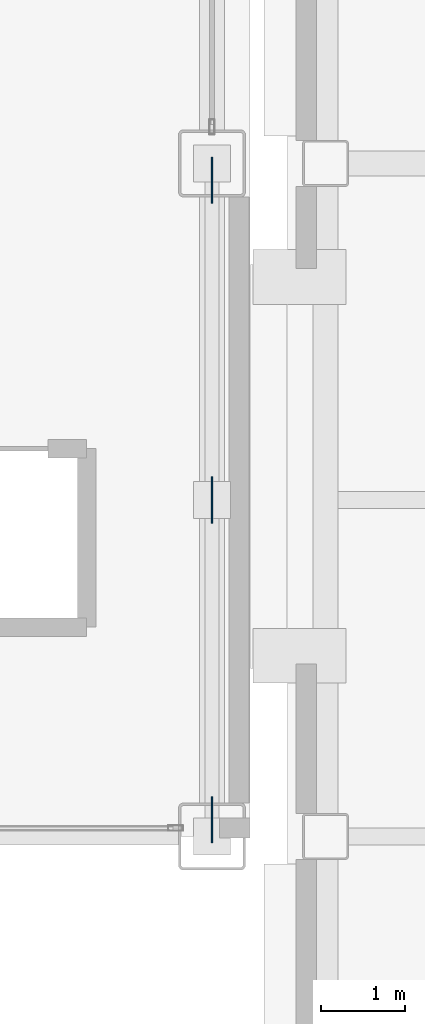
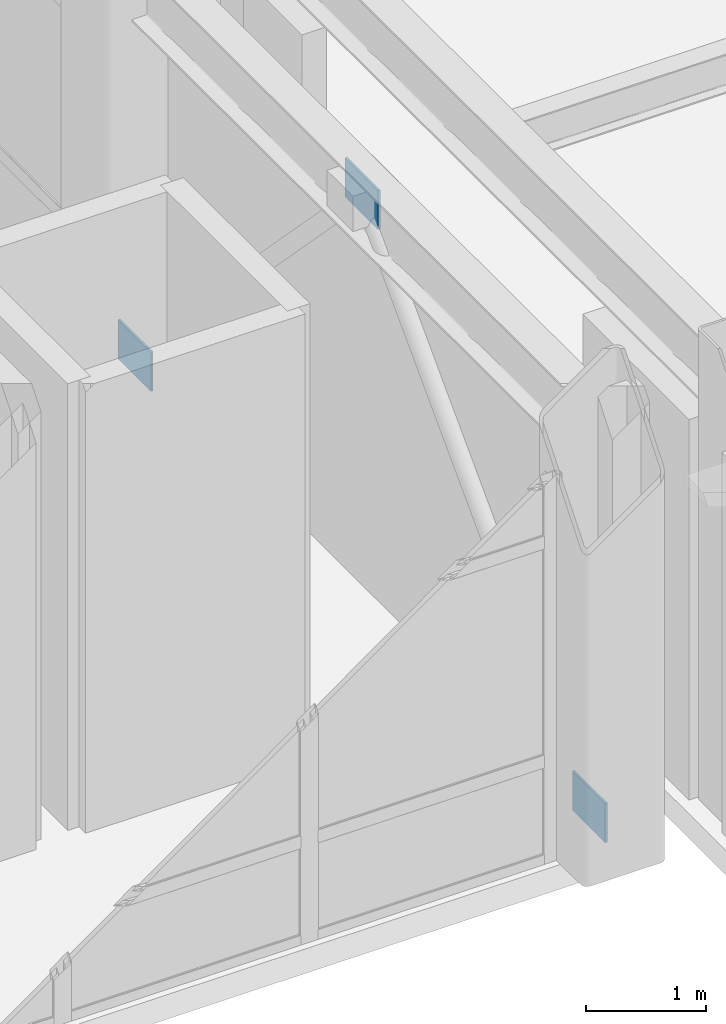
# One storey, part 129 of 154: 3 plates.
"""IFC4 building model written with IfcOpenShell, lengths in metres."""

from ifc_helpers import new_model, si_unit, direction, frame, origin, origin_2d, place, context, subcontext, project, spatial, rectangle, extrude, material, layer, layer_set, type_object, element, save


model = new_model("IFC4")

# Units and contexts
model_context = context("Model", 3, precision=1e-05, world=origin(), true_north=direction((0.0, 1.0)))
body_context = subcontext(model_context, "Body", "Model", "MODEL_VIEW")
ifc_project = project(units=[si_unit("LENGTHUNIT", "METRE"), si_unit("AREAUNIT", "SQUARE_METRE"), si_unit("VOLUMEUNIT", "CUBIC_METRE"), si_unit("PLANEANGLEUNIT", "RADIAN"), si_unit("MASSUNIT", "GRAM", prefix="KILO")], contexts=[model_context])

# Site, building, storey
site_placement = place(None, origin())
site = spatial("IfcSite", under=ifc_project, at=site_placement, CompositionType="ELEMENT")
building_placement = place(site_placement, origin())
building = spatial("IfcBuilding", under=site, at=building_placement, Name="Kazehara Bluff Congress Hotel", CompositionType="ELEMENT")
storey_placement = place(building_placement, frame((0.0, 0.0, 10.199951171875)))
storey = spatial("IfcBuildingStorey", under=building, at=storey_placement, Name="L02", CompositionType="ELEMENT", Elevation=10.199951171875)

# Plates
ifc_material = material(Name="Steel SN490B", Category="steel")
ifc_layer = layer(ifc_material, 0.02197265625)
ifc_layer_set = layer_set([ifc_layer], Name="Steel SN490B")
plate_type = type_object("IfcPlateType", Name="TP-GS-PL2", PredefinedType="USERDEFINED", material=ifc_layer_set)
for number, where, z_axis, x_axis, name in (
    (1, (58.35009765625, 48.64990234375, 0.130126953125), (0.0, 0.0, 1.0), (1.0, 0.0, 0.0), "Chevron foot gusset plate GS-PL2 13"),
    (2, (58.35009765625, 56.25, 0.130126953125), (0.0, 0.0, 1.0), (1.0, 0.0, 0.0), "Chevron foot gusset plate GS-PL2 14"),
    (3, (58.35009765625, 52.449951171875, 4.085205078125), (0.0, 0.0, 1.0), (1.0, 0.0, 0.0), "Chevron gusset plate GS-PL2 15"),
):
    element("IfcPlate", number, at=place(storey_placement, frame(where, z_axis=z_axis, x_axis=x_axis)), inside=storey, type_object=plate_type, Name=name, ObjectType="GUSSET_PLATE", PredefinedType="USERDEFINED", context=body_context, shape_type="SweptSolid", body=[
        extrude(rectangle(XDim=0.02197265625, YDim=0.550048828125, at=origin_2d()), origin(), (0.0, 0.0, 1.0), 0.39990234375),
    ])

save(model, "model.ifc")
